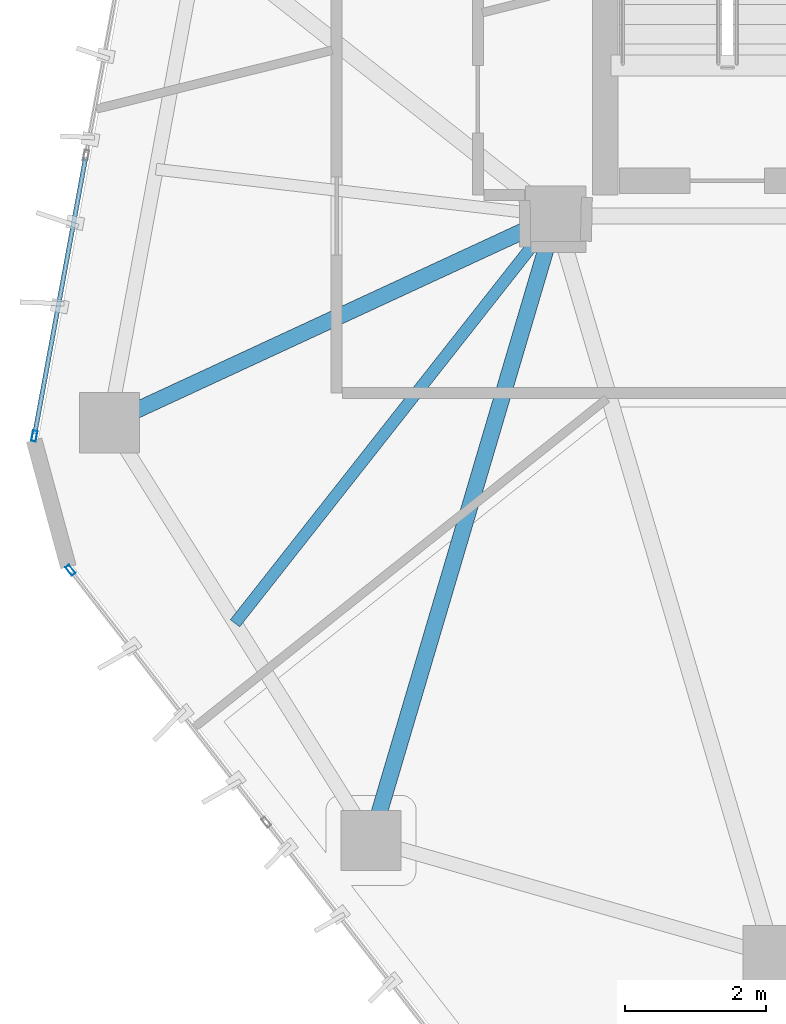
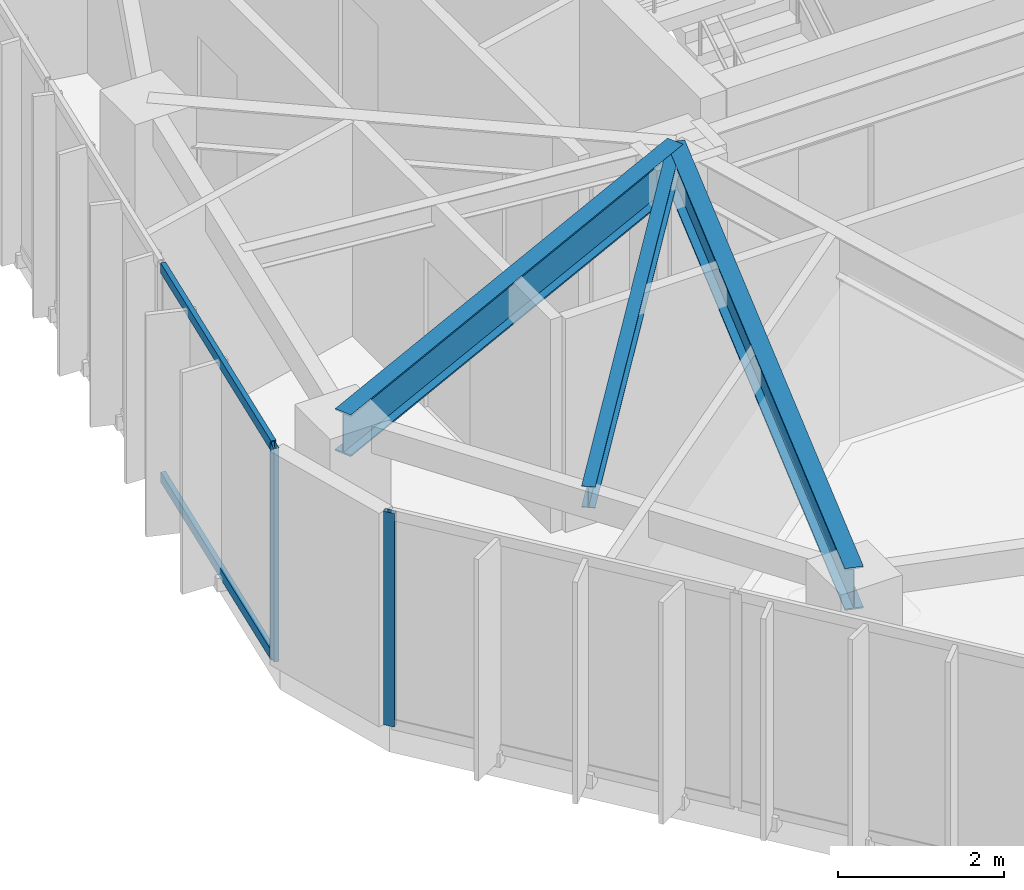
# One storey, part 4 of 19: 4 members, 3 beams, 2 elements without a shape of their own.
"""IFC4 building model written with IfcOpenShell, lengths in metres."""

import ifcopenshell
import ifcopenshell.guid

model = None  # the IFC model being written
_history = None  # IfcOwnerHistory: only IFC2X3 demands one
_inside = {}  # id of a spatial element -> (the spatial element, [elements in it])
_under = {}  # id of a project, library or spatial element -> (it, [spatial elements below it])
_declared = {}  # id of a project -> (the project, [libraries it declares])
_typed = {}  # id of a type object -> (the type object, [elements of that type])
_made_of = {}  # id of a material, layer set ... -> (it, [elements and type objects made of it])


def new_model(schema):
    """Start an empty IFC model of exactly this schema.

    Asked for "IFC4X3", IfcOpenShell would pick the latest addendum, in which some entities
    have other attributes; the version numbers below select the first issue.
    IFC2X3 requires an IfcOwnerHistory on every rooted entity: one is made here for all.
    """
    global model, _history
    if schema == "IFC4X3":
        model = ifcopenshell.file(schema_version=(4, 3, 0, 0))
    else:
        model = ifcopenshell.file(schema=schema)
    _inside.clear()
    _under.clear()
    _declared.clear()
    _typed.clear()
    _made_of.clear()
    _history = None
    if model.schema == "IFC2X3":
        org = make("IfcOrganization", Name="unknown")
        user = make(
            "IfcPersonAndOrganization",
            ThePerson=make("IfcPerson", FamilyName="unknown"),
            TheOrganization=org,
        )
        app = make(
            "IfcApplication",
            ApplicationDeveloper=org,
            Version="unknown",
            ApplicationFullName="unknown",
            ApplicationIdentifier="unknown",
        )
        _history = make(
            "IfcOwnerHistory",
            OwningUser=user,
            OwningApplication=app,
            ChangeAction="ADDED",
            CreationDate=0,
        )
    return model


def make(cls, **values):
    """One entity of the class cls with the attributes given. An attribute that is None is left unset."""
    return model.create_entity(
        cls, **{name: value for name, value in values.items() if value is not None}
    )


def rooted(cls, **values):
    """An entity with a GlobalId (a new one), such as an element, a storey or a relation."""
    return make(cls, GlobalId=ifcopenshell.guid.new(), OwnerHistory=_history, **values)


def si_unit(unit_type, name, prefix=None):
    """IfcSIUnit, for example si_unit("LENGTHUNIT", "METRE", prefix="MILLI")."""
    return make("IfcSIUnit", UnitType=unit_type, Prefix=prefix, Name=name)


def assignment(units):
    """IfcUnitAssignment: the units of a project."""
    return None if units is None else make("IfcUnitAssignment", Units=units)


def point(xyz):
    """IfcCartesianPoint."""
    return None if xyz is None else make("IfcCartesianPoint", Coordinates=xyz)


def direction(xyz):
    """IfcDirection."""
    return None if xyz is None else make("IfcDirection", DirectionRatios=xyz)


def frame(location, z_axis=None, x_axis=None):
    """IfcAxis2Placement3D, a coordinate frame: its origin and axes. An axis left out is left unset."""
    return make(
        "IfcAxis2Placement3D",
        Location=point(location),
        Axis=direction(z_axis),
        RefDirection=direction(x_axis),
    )


def frame_2d(location, x_axis=None):
    """IfcAxis2Placement2D, a coordinate frame in the plane: its origin and x axis."""
    return make(
        "IfcAxis2Placement2D", Location=point(location), RefDirection=direction(x_axis)
    )


def origin():
    """The frame at (0, 0, 0) with its axes left unset."""
    return frame((0.0, 0.0, 0.0))


def origin_2d():
    """The frame at (0, 0) in the plane with its x axis left unset."""
    return frame_2d((0.0, 0.0))


def place(relative_to, where):
    """IfcLocalPlacement: puts the frame where relative to a parent placement (None: the world)."""
    return make(
        "IfcLocalPlacement", PlacementRelTo=relative_to, RelativePlacement=where
    )


def context(
    kind, dimensions, precision=None, world=None, true_north=None, identifier=None
):
    """IfcGeometricRepresentationContext, for example the 3D "Model" context."""
    return make(
        "IfcGeometricRepresentationContext",
        ContextIdentifier=identifier,
        ContextType=kind,
        CoordinateSpaceDimension=dimensions,
        Precision=precision,
        WorldCoordinateSystem=world,
        TrueNorth=true_north,
    )


def subcontext(parent, identifier, kind, view, scale=None):
    """IfcGeometricRepresentationSubContext, for example "Body" below "Model"."""
    return make(
        "IfcGeometricRepresentationSubContext",
        ContextIdentifier=identifier,
        ContextType=kind,
        ParentContext=parent,
        TargetScale=scale,
        TargetView=view,
    )


def project(units=None, contexts=None):
    """IfcProject with its units and contexts."""
    return rooted(
        "IfcProject",
        Name="project",
        RepresentationContexts=contexts,
        UnitsInContext=assignment(units),
    )


def spatial(cls, under=None, at=None, **own):
    """A site, building, storey or space (cls), placed at a placement, below another one or the project."""
    s = rooted(cls, ObjectPlacement=at, **own)
    if under is not None:
        _under.setdefault(under.id(), (under, []))[1].append(s)
    return s


def profile(cls, at=None, kind="AREA", **sizes):
    """A parametric profile (cls). Its sizes go by their IFC names, for example OverallWidth=200.0."""
    return make(cls, ProfileType=kind, Position=at, **sizes)


def hollow_rectangle(**sizes):
    """IfcRectangleHollowProfileDef."""
    return profile("IfcRectangleHollowProfileDef", **sizes)


def i_section(**sizes):
    """IfcIShapeProfileDef."""
    return profile("IfcIShapeProfileDef", **sizes)


def extrude(swept, where, along, depth):
    """IfcExtrudedAreaSolid: the profile swept, set in the frame where, extruded along a direction by depth."""
    return make(
        "IfcExtrudedAreaSolid",
        SweptArea=swept,
        Position=where,
        ExtrudedDirection=direction(along),
        Depth=depth,
    )


def shape(context_of_items, identifier, shape_type, items):
    """IfcShapeRepresentation: the items that make up one representation, for example the "Body"."""
    return make(
        "IfcShapeRepresentation",
        ContextOfItems=context_of_items,
        RepresentationIdentifier=identifier,
        RepresentationType=shape_type,
        Items=items,
    )


def source(mapping_origin, context_of_items, identifier, shape_type, items):
    """IfcRepresentationMap: a shape defined once, which mapped items show again and again."""
    return make(
        "IfcRepresentationMap",
        MappingOrigin=mapping_origin,
        MappedRepresentation=shape(context_of_items, identifier, shape_type, items),
    )


def transform(
    local_origin,
    x_axis=None,
    y_axis=None,
    z_axis=None,
    scale=None,
    scale2=None,
    scale3=None,
    uniform=True,
):
    """IfcCartesianTransformationOperator3D, or its non-uniform kind. x_axis, y_axis, z_axis: its Axis1, 2, 3."""
    if uniform:
        return make(
            "IfcCartesianTransformationOperator3D",
            Axis1=direction(x_axis),
            Axis2=direction(y_axis),
            LocalOrigin=point(local_origin),
            Scale=scale,
            Axis3=direction(z_axis),
        )
    return make(
        "IfcCartesianTransformationOperator3DnonUniform",
        Axis1=direction(x_axis),
        Axis2=direction(y_axis),
        LocalOrigin=point(local_origin),
        Scale=scale,
        Axis3=direction(z_axis),
        Scale2=scale2,
        Scale3=scale3,
    )


def mapped(mapping_source, mapping_target):
    """IfcMappedItem: shows the shape of a source again, moved by a transform."""
    return make(
        "IfcMappedItem", MappingSource=mapping_source, MappingTarget=mapping_target
    )


def material(Name=None, Category=None):
    """IfcMaterial."""
    return make("IfcMaterial", Name=Name, Category=Category)


def layer(
    of_material, thickness, ventilated=None, Name=None, Category=None, Priority=None
):
    """IfcMaterialLayer: one layer of a wall or slab, of a material (None: an air gap)."""
    return make(
        "IfcMaterialLayer",
        Material=of_material,
        LayerThickness=thickness,
        IsVentilated=ventilated,
        Name=Name,
        Category=Category,
        Priority=Priority,
    )


def layer_set(layers, Name=None):
    """IfcMaterialLayerSet."""
    return make("IfcMaterialLayerSet", MaterialLayers=layers, LayerSetName=Name)


def material_profile(
    of_material, cross_section, Name=None, Category=None, Priority=None
):
    """IfcMaterialProfile: a cross section and its material."""
    return make(
        "IfcMaterialProfile",
        Name=Name,
        Material=of_material,
        Profile=cross_section,
        Priority=Priority,
        Category=Category,
    )


def profile_set(profiles, Name=None, composite=None):
    """IfcMaterialProfileSet."""
    return make(
        "IfcMaterialProfileSet",
        Name=Name,
        MaterialProfiles=profiles,
        CompositeProfile=composite,
    )


def made_of(thing, what):
    """Note that an element or type object is made of a material, layer set ...; save() writes the relation."""
    if what is not None:
        _made_of.setdefault(what.id(), (what, []))[1].append(thing)
    return thing


def type_object(cls, material=None, **own):
    """A type object (cls), such as IfcWallType, which elements share."""
    return made_of(rooted(cls, **own), material)


def type_shapes(of_type, sources):
    """Give a type object the sources (RepresentationMaps) that its elements show as mapped items."""
    of_type.RepresentationMaps = sources


def element(
    cls,
    number,
    at=None,
    inside=None,
    cuts=None,
    type_object=None,
    material=None,
    context=None,
    identifier="Body",
    shape_type=None,
    held_by="IfcProductDefinitionShape",
    body=None,
    shapes=None,
    **own,
):
    """One element of the class cls, such as IfcWall. Its Tag is "e" and its number.

    at: its placement. inside: the storey or other place that contains it. cuts: it is an
    opening in that element (IfcRelVoidsElement). A single representation is given by context,
    identifier, shape_type and body (its items); several are given by shapes. held_by: the class
    of the entity that holds the representations. save() writes the other relations.
    """
    e = rooted(cls, Tag="e%d" % number, ObjectPlacement=at, **own)
    if body is not None:
        shapes = [shape(context, identifier, shape_type, body)]
    if shapes is not None:
        e.Representation = make(held_by, Representations=shapes)
    if inside is not None:
        _inside.setdefault(inside.id(), (inside, []))[1].append(e)
    if cuts is not None:
        rooted(
            "IfcRelVoidsElement", RelatingBuildingElement=cuts, RelatedOpeningElement=e
        )
    if type_object is not None:
        _typed.setdefault(type_object.id(), (type_object, []))[1].append(e)
    return made_of(e, material)


def aggregate(whole, parts):
    """IfcRelAggregates: a whole, such as a stair, and the parts it consists of."""
    return rooted("IfcRelAggregates", RelatingObject=whole, RelatedObjects=parts)


def save(model, path):
    """Write the relations noted so far, then the file.

    IfcRelAggregates (storeys below a building ...), IfcRelContainedInSpatialStructure (elements
    in a storey), IfcRelDefinesByType, IfcRelAssociatesMaterial and IfcRelDeclares: one each for
    every whole, place, type object, material and project.
    """
    for whole, parts in _under.values():
        aggregate(whole, parts)
    for where, things in _inside.values():
        rooted(
            "IfcRelContainedInSpatialStructure",
            RelatedElements=things,
            RelatingStructure=where,
        )
    for kind, things in _typed.values():
        rooted("IfcRelDefinesByType", RelatedObjects=things, RelatingType=kind)
    for what, things in _made_of.values():
        rooted("IfcRelAssociatesMaterial", RelatedObjects=things, RelatingMaterial=what)
    for by, libraries in _declared.values():
        rooted("IfcRelDeclares", RelatingContext=by, RelatedDefinitions=libraries)
    model.write(path)


model = new_model("IFC4")

# Units and contexts
model_context = context("Model", 3, precision=1e-05, world=origin(), true_north=direction((0.0, 1.0)))
body_context = subcontext(model_context, "Body", "Model", "MODEL_VIEW")
ifc_project = project(units=[si_unit("LENGTHUNIT", "METRE"), si_unit("AREAUNIT", "SQUARE_METRE"), si_unit("VOLUMEUNIT", "CUBIC_METRE"), si_unit("PLANEANGLEUNIT", "RADIAN"), si_unit("MASSUNIT", "GRAM", prefix="KILO")], contexts=[model_context])

# Site, building, storey
site_placement = place(None, origin())
site = spatial("IfcSite", under=ifc_project, at=site_placement, CompositionType="ELEMENT")
building_placement = place(site_placement, origin())
building = spatial("IfcBuilding", under=site, at=building_placement, Name="Talar Marvaseh", CompositionType="ELEMENT")
storey_placement = place(building_placement, frame((0.0, 0.0, 240.800048828125)))
storey = spatial("IfcBuildingStorey", under=building, at=storey_placement, Name="L63", CompositionType="ELEMENT", Elevation=240.800048828125)

# Beams
ifc_material_1 = material(Name="Steel S355", Category="steel")
ifc_material_profile_1 = material_profile(ifc_material_1, i_section(OverallWidth=0.166015625, OverallDepth=0.31298828125, WebThickness=0.006591796875, FlangeThickness=0.01123046875, at=origin_2d()), Name="W310x45")
ifc_profile_set_1 = profile_set([ifc_material_profile_1], Name="Steel S355")
beam_type_1 = type_object("IfcBeamType", Name="Zone 3 Secondary Floor Joist W310x45", PredefinedType="JOIST", material=ifc_profile_set_1)
beam_1_placement = place(storey_placement, frame((14.1640625, 19.74072265625, 2.9833984375), z_axis=(0.618727137907, 0.785605962819, 0.0), x_axis=(-0.785605962819, 0.618727137907, 0.0)))
element("IfcBeam", 1, at=beam_1_placement, inside=storey, type_object=beam_type_1, Name="L63 Zone 3 Secondary Floor Joist W310x45", PredefinedType="JOIST", context=body_context, shape_type="SweptSolid", body=[
    extrude(i_section(OverallWidth=0.166015625, OverallDepth=0.31298828125, WebThickness=0.006591796875, FlangeThickness=0.01123046875, at=origin_2d()), origin(), (0.0, 0.0, 1.0), 7.3310546875),
])
ifc_material_profile_2 = material_profile(ifc_material_1, i_section(OverallWidth=0.22998046875, OverallDepth=0.616943359375, WebThickness=0.01318359375, FlangeThickness=0.022216796875, at=origin_2d()), Name="W610x140")
ifc_profile_set_2 = profile_set([ifc_material_profile_2], Name="Steel S355")
beam_type_2 = type_object("IfcBeamType", Name="Zone 4 Radial Floor Girder W610x140", PredefinedType="BEAM", material=ifc_profile_set_2)
beam_2_placement = place(storey_placement, frame((12.388916015625, 22.576904296875, 2.83154296875), z_axis=(0.907394527995, 0.420279871709, 0.0), x_axis=(-0.420279871709, 0.907394527995, 0.0)))
element("IfcBeam", 2, at=beam_2_placement, inside=storey, type_object=beam_type_2, Name="L63 Zone 4 Radial Floor Girder W610x140", PredefinedType="BEAM", context=body_context, shape_type="SweptSolid", body=[
    extrude(i_section(OverallWidth=0.22998046875, OverallDepth=0.616943359375, WebThickness=0.01318359375, FlangeThickness=0.022216796875, at=origin_2d()), origin(), (0.0, 0.0, 1.0), 6.955078125),
])
beam_3_placement = place(storey_placement, frame((16.0869140625, 16.66796875, 2.83154296875), z_axis=(0.283702937759, 0.958912218666, 0.0), x_axis=(-0.958912218666, 0.283702937759, 0.0)))
element("IfcBeam", 3, at=beam_3_placement, inside=storey, type_object=beam_type_2, Name="L63 Zone 4 Radial Floor Girder W610x140", PredefinedType="BEAM", context=body_context, shape_type="SweptSolid", body=[
    extrude(i_section(OverallWidth=0.22998046875, OverallDepth=0.616943359375, WebThickness=0.01318359375, FlangeThickness=0.022216796875, at=origin_2d()), origin(), (0.0, 0.0, 1.0), 9.21044921875),
])

# Curtain wall, member
ifc_material_2 = material(Name="Architectural Aluminium", Category="aluminium")
ifc_layer = layer(ifc_material_2, 0.179931640625)
ifc_layer_set = layer_set([ifc_layer], Name="Architectural Aluminium")
curtain_wall_type = type_object("IfcCurtainWallType", Name="Unitised High-Wind Sky Curtain Wall Z4", PredefinedType="NOTDEFINED", material=ifc_layer_set)
curtain_wall_1_placement = place(storey_placement, origin())
curtain_wall_1 = element("IfcCurtainWall", 4, at=curtain_wall_1_placement, inside=storey, type_object=curtain_wall_type, Name="L63 Unitised High-Wind Sky Curtain Wall Z4", PredefinedType="NOTDEFINED")
ifc_material_profile_3 = material_profile(ifc_material_2, hollow_rectangle(XDim=0.06494140625, YDim=0.14990234375, WallThickness=0.00390625, at=origin_2d()), Name="RHS150x65x4")
ifc_profile_set_3 = profile_set([ifc_material_profile_3], Name="Architectural Aluminium")
member_type_1 = type_object("IfcMemberType", Name="Unitised Curtain Wall Slim Mullion RHS150x65x4", PredefinedType="MULLION", material=ifc_profile_set_3)
shared_shape_1 = source(origin(), body_context, "Body", "SweptSolid", [
    extrude(hollow_rectangle(XDim=0.06494140625, YDim=0.14990234375, WallThickness=0.00390625, at=origin_2d()), origin(), (0.0, 0.0, 1.0), 3.139892578125),
])
type_shapes(member_type_1, [shared_shape_1])
member_1_placement = place(storey_placement, frame((11.837158203125, 20.491455078125, 0.0), z_axis=(0.0, 0.0, 1.0), x_axis=(-0.789660549831, -0.613543980526, 0.0)))
member_1 = element("IfcMember", 5, at=member_1_placement, type_object=member_type_1, Name="CW-Z4 mullion 4", PredefinedType="MULLION", context=body_context, shape_type="MappedRepresentation", body=[
    mapped(shared_shape_1, transform((0.0, 0.0, 0.0), x_axis=(1.0, 0.0, 0.0), y_axis=(0.0, 1.0, 0.0), z_axis=(0.0, 0.0, 1.0), scale=1.0)),
])
aggregate(curtain_wall_1, [member_1])

# Curtain wall, members
curtain_wall_2_placement = place(storey_placement, origin())
curtain_wall_2 = element("IfcCurtainWall", 6, at=curtain_wall_2_placement, inside=storey, type_object=curtain_wall_type, Name="L63 Unitised High-Wind Sky Curtain Wall Z4", PredefinedType="NOTDEFINED")
member_2_placement = place(storey_placement, frame((11.3271484375, 22.388916015625, 0.0), z_axis=(0.0, 0.0, 1.0), x_axis=(-0.983470699845, 0.181067342572, 0.0)))
member_2 = element("IfcMember", 7, at=member_2_placement, type_object=member_type_1, Name="CW-Z4 mullion 1", PredefinedType="MULLION", context=body_context, shape_type="MappedRepresentation", body=[
    mapped(shared_shape_1, transform((0.0, 0.0, 0.0), x_axis=(1.0, 0.0, 0.0), y_axis=(0.0, 1.0, 0.0), z_axis=(0.0, 0.0, 1.0), scale=1.0)),
])
ifc_material_profile_4 = material_profile(ifc_material_2, hollow_rectangle(XDim=0.06494140625, YDim=0.14990234375, WallThickness=0.00390625, at=origin_2d()), Name="RHS150x65x4")
ifc_profile_set_4 = profile_set([ifc_material_profile_4], Name="Architectural Aluminium")
member_type_2 = type_object("IfcMemberType", Name="Unitised Curtain Wall Slim Transom RHS150x65x4", PredefinedType="USERDEFINED", material=ifc_profile_set_4)
shared_shape_2 = source(origin(), body_context, "Body", "SweptSolid", [
    extrude(hollow_rectangle(XDim=0.06494140625, YDim=0.14990234375, WallThickness=0.00390625, at=origin_2d()), origin(), (0.0, 0.0, 1.0), 3.97119140625),
])
type_shapes(member_type_2, [shared_shape_2])
member_3_placement = place(storey_placement, frame((11.3330078125, 22.4208984375, 0.032470703125), z_axis=(0.18105445995, 0.983473071585, 0.0), x_axis=(-0.983473071585, 0.18105445995, 0.0)))
member_3 = element("IfcMember", 8, at=member_3_placement, type_object=member_type_2, Name="CW-Z4 transom 1.1", ObjectType="TRANSOM", PredefinedType="USERDEFINED", context=body_context, shape_type="MappedRepresentation", body=[
    mapped(shared_shape_2, transform((0.0, 0.0, 0.0), x_axis=(1.0, 0.0, 0.0), y_axis=(0.0, 1.0, 0.0), z_axis=(0.0, 0.0, 1.0), scale=1.0)),
])
member_4_placement = place(storey_placement, frame((11.3330078125, 22.4208984375, 3.107421875), z_axis=(0.18105445995, 0.983473071585, 0.0), x_axis=(-0.983473071585, 0.18105445995, 0.0)))
member_4 = element("IfcMember", 9, at=member_4_placement, type_object=member_type_2, Name="CW-Z4 transom 1.2", ObjectType="TRANSOM", PredefinedType="USERDEFINED", context=body_context, shape_type="MappedRepresentation", body=[
    mapped(shared_shape_2, transform((0.0, 0.0, 0.0), x_axis=(1.0, 0.0, 0.0), y_axis=(0.0, 1.0, 0.0), z_axis=(0.0, 0.0, 1.0), scale=1.0)),
])
aggregate(curtain_wall_2, [member_2, member_3, member_4])

save(model, "model.ifc")
